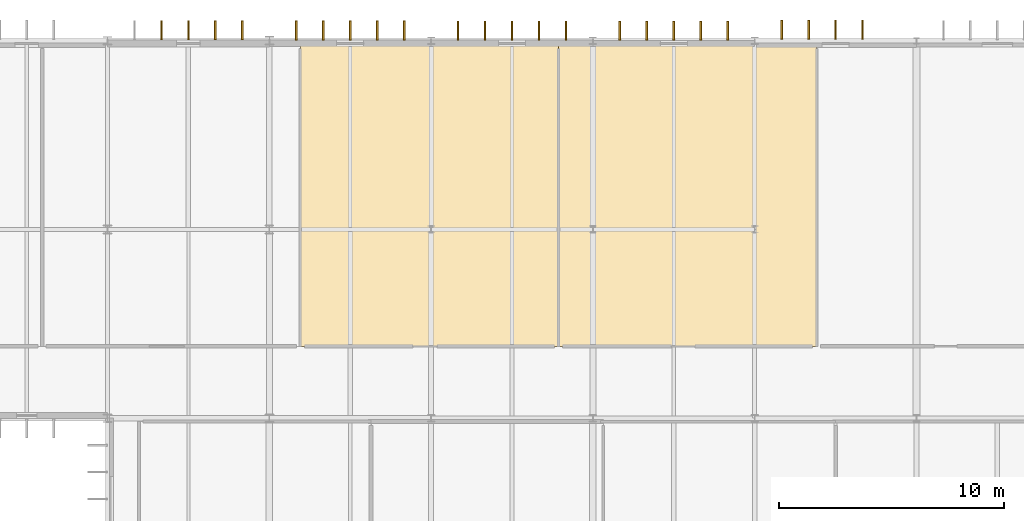
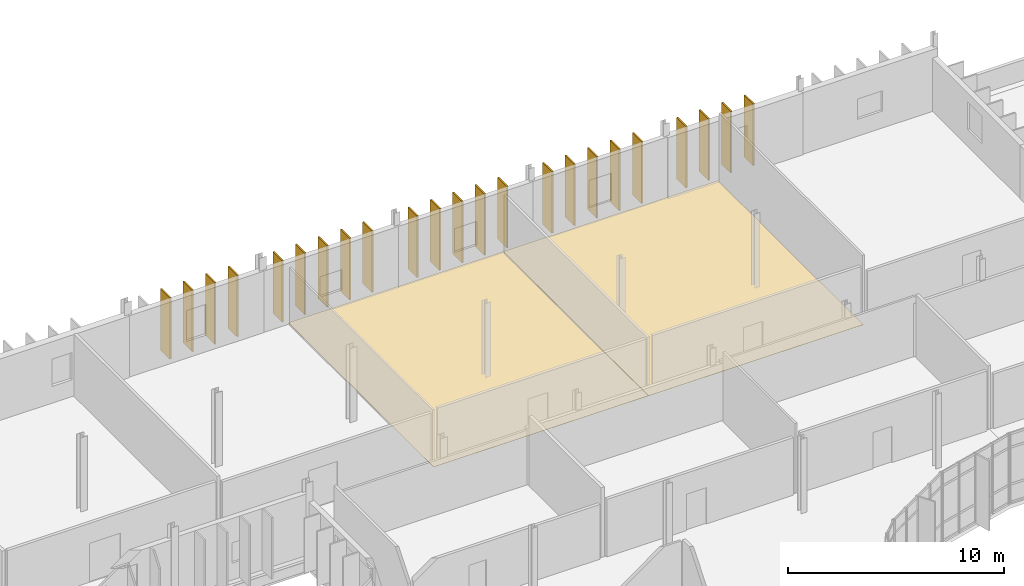
# One storey, part 116 of 119: 23 shading devices, 2 coverings.
"""IFC4 building model written with IfcOpenShell, lengths in metres."""

from ifc_helpers import new_model, si_unit, direction, frame, origin, origin_2d, place, context, subcontext, project, spatial, polyline, rectangle, outline, extrude, material, layer, layer_set, type_object, element, save


model = new_model("IFC4")

# Units and contexts
model_context = context("Model", 3, precision=1e-05, world=origin(), true_north=direction((0.0, 1.0)))
body_context = subcontext(model_context, "Body", "Model", "MODEL_VIEW")
ifc_project = project(units=[si_unit("LENGTHUNIT", "METRE"), si_unit("AREAUNIT", "SQUARE_METRE"), si_unit("VOLUMEUNIT", "CUBIC_METRE"), si_unit("PLANEANGLEUNIT", "RADIAN"), si_unit("MASSUNIT", "GRAM", prefix="KILO")], contexts=[model_context])

# Site, building, storey
site_placement = place(None, origin())
site = spatial("IfcSite", under=ifc_project, at=site_placement, CompositionType="ELEMENT")
building_placement = place(site_placement, origin())
building = spatial("IfcBuilding", under=site, at=building_placement, Name="Qelthora Terrace Specialist Clinic", CompositionType="ELEMENT")
storey_placement = place(building_placement, frame((0.0, 0.0, 4.800048828125)))
storey = spatial("IfcBuildingStorey", under=building, at=storey_placement, Name="L01", CompositionType="ELEMENT", Elevation=4.800048828125)

# Coverings
ifc_material_1 = material(Name="Antimicrobial clinical linoleum flooring", Category="other")
ifc_layer = layer(ifc_material_1, 0.011962890625)
ifc_layer_set = layer_set([ifc_layer], Name="Antimicrobial clinical linoleum flooring")
covering_type = type_object("IfcCoveringType", Name="COV-FLR-LINO-12", PredefinedType="FLOORING", material=ifc_layer_set)
covering_1_placement = place(storey_placement, origin())
element("IfcCovering", 1, at=covering_1_placement, inside=storey, type_object=covering_type, Name="Biostatistics Trials Office L01-63 resilient linoleum flooring", PredefinedType="FLOORING", context=body_context, shape_type="SweptSolid", body=[
    extrude(outline(polyline([(102.18505859375, 95.60009765625), (102.18505859375, 109.050048828125), (113.669921875, 109.050048828125), (113.669921875, 95.60009765625), (102.18505859375, 95.60009765625)])), origin(), (0.0, 0.0, 1.0), 0.011962890625),
])
covering_2_placement = place(storey_placement, origin())
element("IfcCovering", 2, at=covering_2_placement, inside=storey, type_object=covering_type, Name="Medical Library Upper Reading L01-64 resilient linoleum flooring", PredefinedType="FLOORING", context=body_context, shape_type="SweptSolid", body=[
    extrude(outline(polyline([(113.675048828125, 95.60009765625), (113.675048828125, 109.050048828125), (125.159912109375, 109.050048828125), (125.159912109375, 95.60009765625), (113.675048828125, 95.60009765625)])), origin(), (0.0, 0.0, 1.0), 0.011962890625),
])

# Shading devices
ifc_material_2 = material(Name="Glulam timber GL28h", Category="wood")
shading_device_type = type_object("IfcShadingDeviceType", Name="SHD-FIN-850", PredefinedType="USERDEFINED", material=ifc_material_2)
for number, where, z_axis, x_axis, name in (
    (3, (96.0, 109.6650390625, 0.0), (0.0, 0.0, 1.0), (0.0, 1.0, 0.0), "Exterior solar shading fin FIN-0840"),
    (4, (97.199951171875, 109.6650390625, 0.0), (0.0, 0.0, 1.0), (0.0, 1.0, 0.0), "Exterior solar shading fin FIN-0841"),
    (5, (98.39990234375, 109.6650390625, 0.0), (0.0, 0.0, 1.0), (0.0, 1.0, 0.0), "Exterior solar shading fin FIN-0842"),
    (6, (99.60009765625, 109.6650390625, 0.0), (0.0, 0.0, 1.0), (0.0, 1.0, 0.0), "Exterior solar shading fin FIN-0843"),
    (7, (102.0, 109.655029296875, 0.0), (0.0, 0.0, 1.0), (0.0, 1.0, 0.0), "Exterior solar shading fin FIN-0844"),
    (8, (103.199951171875, 109.655029296875, 0.0), (0.0, 0.0, 1.0), (0.0, 1.0, 0.0), "Exterior solar shading fin FIN-0845"),
    (9, (104.39990234375, 109.655029296875, 0.0), (0.0, 0.0, 1.0), (0.0, 1.0, 0.0), "Exterior solar shading fin FIN-0846"),
    (10, (105.60009765625, 109.655029296875, 0.0), (0.0, 0.0, 1.0), (0.0, 1.0, 0.0), "Exterior solar shading fin FIN-0847"),
    (11, (106.800048828125, 109.655029296875, 0.0), (0.0, 0.0, 1.0), (0.0, 1.0, 0.0), "Exterior solar shading fin FIN-0848"),
    (12, (109.199951171875, 109.64501953125, 0.0), (0.0, 0.0, 1.0), (0.0, 1.0, 0.0), "Exterior solar shading fin FIN-0849"),
    (13, (110.39990234375, 109.64501953125, 0.0), (0.0, 0.0, 1.0), (0.0, 1.0, 0.0), "Exterior solar shading fin FIN-0850"),
    (14, (111.60009765625, 109.64501953125, 0.0), (0.0, 0.0, 1.0), (0.0, 1.0, 0.0), "Exterior solar shading fin FIN-0851"),
    (15, (112.800048828125, 109.64501953125, 0.0), (0.0, 0.0, 1.0), (0.0, 1.0, 0.0), "Exterior solar shading fin FIN-0852"),
    (16, (114.0, 109.64501953125, 0.0), (0.0, 0.0, 1.0), (0.0, 1.0, 0.0), "Exterior solar shading fin FIN-0853"),
    (17, (116.39990234375, 109.635009765625, 0.0), (0.0, 0.0, 1.0), (0.0, 1.0, 0.0), "Exterior solar shading fin FIN-0854"),
    (18, (117.60009765625, 109.635009765625, 0.0), (0.0, 0.0, 1.0), (0.0, 1.0, 0.0), "Exterior solar shading fin FIN-0855"),
    (19, (118.800048828125, 109.635009765625, 0.0), (0.0, 0.0, 1.0), (0.0, 1.0, 0.0), "Exterior solar shading fin FIN-0856"),
    (20, (120.0, 109.635009765625, 0.0), (0.0, 0.0, 1.0), (0.0, 1.0, 0.0), "Exterior solar shading fin FIN-0857"),
    (21, (121.199951171875, 109.635009765625, 0.0), (0.0, 0.0, 1.0), (0.0, 1.0, 0.0), "Exterior solar shading fin FIN-0858"),
    (22, (123.60009765625, 109.695068359375, 0.0), (0.0, 0.0, 1.0), (0.0, 1.0, 0.0), "Exterior solar shading fin FIN-0859"),
    (23, (124.800048828125, 109.695068359375, 0.0), (0.0, 0.0, 1.0), (0.0, 1.0, 0.0), "Exterior solar shading fin FIN-0860"),
    (24, (126.0, 109.695068359375, 0.0), (0.0, 0.0, 1.0), (0.0, 1.0, 0.0), "Exterior solar shading fin FIN-0861"),
    (25, (127.199951171875, 109.695068359375, 0.0), (0.0, 0.0, 1.0), (0.0, 1.0, 0.0), "Exterior solar shading fin FIN-0862"),
):
    element("IfcShadingDevice", number, at=place(storey_placement, frame(where, z_axis=z_axis, x_axis=x_axis)), inside=storey, type_object=shading_device_type, Name=name, ObjectType="FIN", PredefinedType="USERDEFINED", context=body_context, shape_type="SweptSolid", body=[
        extrude(rectangle(XDim=0.85009765625, YDim=0.080078125, at=origin_2d()), origin(), (0.0, 0.0, 1.0), 3.48193359375),
    ])

save(model, "model.ifc")
